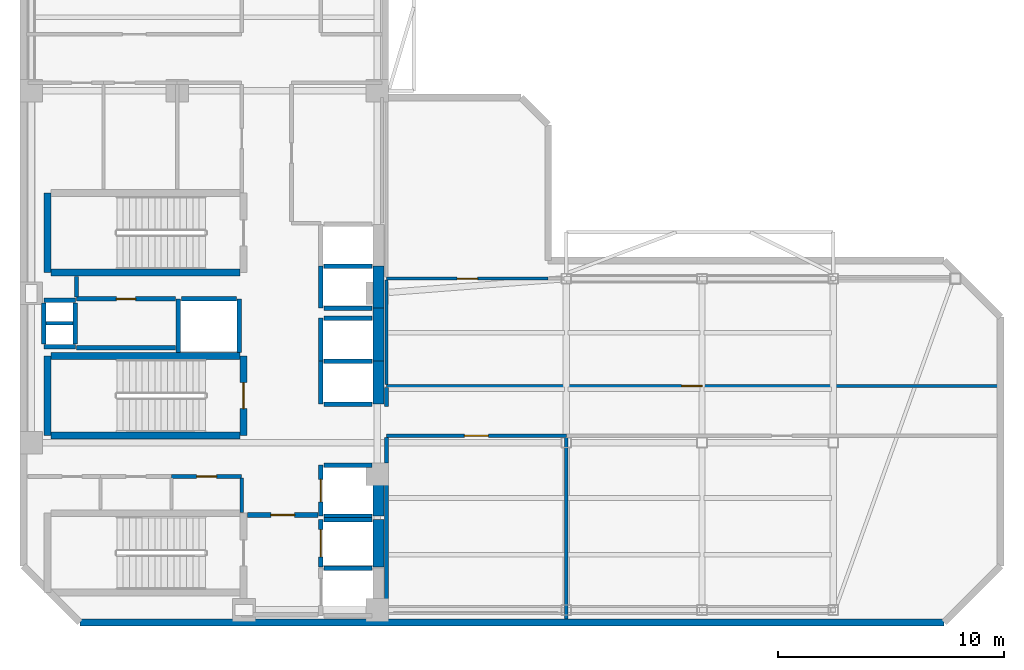
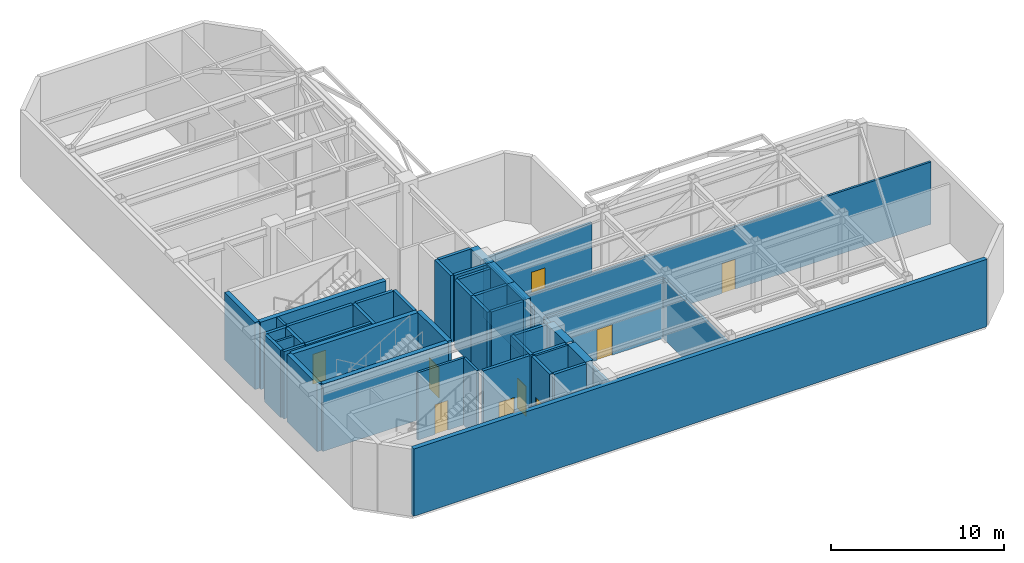
# One storey, part 3 of 7: 48 walls, 9 doors, 9 openings.
"""IFC4 building model written with IfcOpenShell, lengths in metres."""

from ifc_helpers import new_model, si_unit, direction, frame, frame_2d, origin, place, context, subcontext, project, spatial, rectangle, extrude, material, layer, layer_set, type_object, element, fill, save


model = new_model("IFC4")

# Units and contexts
model_context = context("Model", 3, precision=1e-05, world=origin(), true_north=direction((0.0, 1.0)))
body_context = subcontext(model_context, "Body", "Model", "MODEL_VIEW")
ifc_project = project(units=[si_unit("LENGTHUNIT", "METRE"), si_unit("AREAUNIT", "SQUARE_METRE"), si_unit("VOLUMEUNIT", "CUBIC_METRE"), si_unit("PLANEANGLEUNIT", "RADIAN"), si_unit("MASSUNIT", "GRAM", prefix="KILO")], contexts=[model_context])

# Site, building, storey
site_placement = place(None, origin())
site = spatial("IfcSite", under=ifc_project, at=site_placement, CompositionType="ELEMENT")
building_placement = place(site_placement, origin())
building = spatial("IfcBuilding", under=site, at=building_placement, Name="Mawjaban Terraces University", CompositionType="ELEMENT")
storey_placement = place(building_placement, frame((0.0, 0.0, 238.199951171875)))
storey = spatial("IfcBuildingStorey", under=building, at=storey_placement, Name="L58", CompositionType="ELEMENT", Elevation=238.199951171875)

# Walls
ifc_material_1 = material(Name="Concrete C60/75", Category="concrete")
ifc_layer_1 = layer(ifc_material_1, 0.5)
ifc_layer_set_1 = layer_set([ifc_layer_1], Name="Concrete C60/75")
wall_type_1 = type_object("IfcWallType", Name="CoreShearWall_500", PredefinedType="SHEAR", material=ifc_layer_set_1)
wall_1_placement = place(storey_placement, frame((37.699951171875, 2.449951171875, 0.0), z_axis=(0.0, 0.0, 1.0), x_axis=(0.0, 1.0, 0.0)))
element("IfcWall", 1, at=wall_1_placement, inside=storey, type_object=wall_type_1, Name="L58 Lift FL-2 Hoistway Wall East", PredefinedType="SHEAR", context=body_context, shape_type="SweptSolid", body=[
    extrude(rectangle(XDim=2.10009765625, YDim=0.5, at=frame_2d((1.050048828125, 0.0))), origin(), (0.0, 0.0, 1.0), 4.739990234375),
])
wall_2_placement = place(storey_placement, frame((37.699951171875, 4.699951171875, 0.0), z_axis=(0.0, 0.0, 1.0), x_axis=(0.0, 1.0, 0.0)))
element("IfcWall", 2, at=wall_2_placement, inside=storey, type_object=wall_type_1, Name="L58 Lift SL-1 Hoistway Wall East", PredefinedType="SHEAR", context=body_context, shape_type="SweptSolid", body=[
    extrude(rectangle(XDim=2.25, YDim=0.5, at=frame_2d((1.125, 0.0))), origin(), (0.0, 0.0, 1.0), 4.739990234375),
])
wall_3_placement = place(storey_placement, frame((37.699951171875, 9.64990234375, 0.0), z_axis=(0.0, 0.0, 1.0), x_axis=(0.0, 1.0, 0.0)))
element("IfcWall", 3, at=wall_3_placement, inside=storey, type_object=wall_type_1, Name="L58 Lift PL-H1 Hoistway Wall East", PredefinedType="SHEAR", context=body_context, shape_type="SweptSolid", body=[
    extrude(rectangle(XDim=1.900146484375, YDim=0.5, at=frame_2d((0.9501953125, 0.0))), origin(), (0.0, 0.0, 1.0), 4.739990234375),
])
wall_4_placement = place(storey_placement, frame((37.699951171875, 11.550048828125, 0.0), z_axis=(0.0, 0.0, 1.0), x_axis=(0.0, 1.0, 0.0)))
element("IfcWall", 4, at=wall_4_placement, inside=storey, type_object=wall_type_1, Name="L58 Lift PL-H2 Hoistway Wall East", PredefinedType="SHEAR", context=body_context, shape_type="SweptSolid", body=[
    extrude(rectangle(XDim=2.349853515625, YDim=0.5, at=frame_2d((1.1748046875, 0.0))), origin(), (0.0, 0.0, 1.0), 4.739990234375),
])
wall_5_placement = place(storey_placement, frame((37.699951171875, 13.89990234375, 0.0), z_axis=(0.0, 0.0, 1.0), x_axis=(0.0, 1.0, 0.0)))
element("IfcWall", 5, at=wall_5_placement, inside=storey, type_object=wall_type_1, Name="L58 Lift OL-1 Hoistway Wall East", PredefinedType="SHEAR", context=body_context, shape_type="SweptSolid", body=[
    extrude(rectangle(XDim=1.85009765625, YDim=0.5, at=frame_2d((0.925048828125, 0.0))), origin(), (0.0, 0.0, 1.0), 4.739990234375),
])

# Wall, opening, door
ifc_material_2 = material(Name="Fire-rated gypsum board on steel stud", Category="steel")
ifc_layer_2 = layer(ifc_material_2, 0.159912109375)
ifc_layer_set_2 = layer_set([ifc_layer_2], Name="Fire-rated gypsum board on steel stud")
wall_type_2 = type_object("IfcWallType", Name="CorridorPartition_160", PredefinedType="PARTITIONING", material=ifc_layer_set_2)
wall_6_placement = place(storey_placement, frame((28.550048828125, 6.449951171875, 0.0), z_axis=(0.0, 0.0, 1.0), x_axis=(1.0, 0.0, 0.0)))
wall_6 = element("IfcWall", 6, at=wall_6_placement, inside=storey, type_object=wall_type_2, Name="L58 Core Washroom Lobby Partition 6", PredefinedType="PARTITIONING", context=body_context, shape_type="SweptSolid", body=[
    extrude(rectangle(XDim=3.099853515625, YDim=0.159912109375, at=frame_2d((1.5498046875, 0.0))), origin(), (0.0, 0.0, 1.0), 4.739990234375),
])
opening_1_placement = place(wall_6_placement, frame((1.110107421875, 0.0, 0.0)))
opening_1 = element("IfcOpeningElement", 7, at=opening_1_placement, cuts=wall_6, Name="Opening ID-088", PredefinedType="OPENING", context=body_context, shape_type="SweptSolid", body=[
    extrude(rectangle(XDim=0.8798828125, YDim=2.10009765625, at=frame_2d((0.43994140625, 1.050048828125))), frame((0.0, 0.08984375, 0.0), z_axis=(0.0, -1.0, 0.0), x_axis=(1.0, 0.0, 0.0)), (0.0, 0.0, 1.0), 0.179931640625),
])
ifc_material_3 = material(Name="Powder-coated steel frame and solid acoustic timber leaf", Category="steel")
door_type_1 = type_object("IfcDoorType", Name="ToiletDoor_880x2100", OperationType="NOTDEFINED", PredefinedType="DOOR", material=ifc_material_3)
door_1_placement = place(opening_1_placement, origin())
door_1 = element("IfcDoor", 8, at=door_1_placement, inside=storey, type_object=door_type_1, Name="L58 Accessible Toilet Door", OperationType="SINGLE_SWING_LEFT", OverallHeight=2.10009765625, OverallWidth=0.8798828125, PredefinedType="DOOR", context=body_context, shape_type="SweptSolid", body=[
    extrude(rectangle(XDim=0.8798828125, YDim=2.10009765625, at=frame_2d((0.43994140625, 1.050048828125))), frame((0.0, 0.02490234375, 0.0), z_axis=(0.0, -1.0, 0.0), x_axis=(1.0, 0.0, 0.0)), (0.0, 0.0, 1.0), 0.050048828125),
])
fill(opening_1, door_1)

wall_7_placement = place(storey_placement, frame((46.0, 8.25, 0.0), z_axis=(0.0, 0.0, 1.0), x_axis=(-1.0, 0.0, 0.0)))
wall_7 = element("IfcWall", 9, at=wall_7_placement, inside=storey, type_object=wall_type_2, Name="L58 Designated Smoke-Protected Refuge Area East Partition 18", PredefinedType="PARTITIONING", context=body_context, shape_type="SweptSolid", body=[
    extrude(rectangle(XDim=7.949951171875, YDim=0.159912109375, at=frame_2d((3.97509765625, 0.0))), origin(), (0.0, 0.0, 1.0), 4.18896484375),
])
opening_2_placement = place(wall_7_placement, frame((3.449951171875, 0.0, 0.0)))
opening_2 = element("IfcOpeningElement", 10, at=opening_2_placement, cuts=wall_7, Name="Opening FD-105", PredefinedType="OPENING", context=body_context, shape_type="SweptSolid", body=[
    extrude(rectangle(XDim=1.050048828125, YDim=2.14990234375, at=frame_2d((0.52490234375, 1.074951171875))), frame((0.0, 0.08984375, 0.0), z_axis=(0.0, -1.0, 0.0), x_axis=(1.0, 0.0, 0.0)), (0.0, 0.0, 1.0), 0.179931640625),
])
ifc_material_4 = material(Name="Powder-coated steel frame and fire-rated steel-faced leaf", Category="steel")
door_type_2 = type_object("IfcDoorType", Name="FireLobbyDoor_1050x2150", OperationType="NOTDEFINED", PredefinedType="DOOR", material=ifc_material_4)
door_2_placement = place(opening_2_placement, origin())
door_2 = element("IfcDoor", 11, at=door_2_placement, inside=storey, type_object=door_type_2, Name="L58 Designated Smoke-Protected Refuge Area East Door", OperationType="SINGLE_SWING_LEFT", OverallHeight=2.14990234375, OverallWidth=1.050048828125, PredefinedType="DOOR", context=body_context, shape_type="SweptSolid", body=[
    extrude(rectangle(XDim=1.050048828125, YDim=2.14990234375, at=frame_2d((0.52490234375, 1.074951171875))), frame((0.0, 0.02490234375, 0.0), z_axis=(0.0, -1.0, 0.0), x_axis=(1.0, 0.0, 0.0)), (0.0, 0.0, 1.0), 0.050048828125),
])
fill(opening_2, door_2)

# Walls
wall_8_placement = place(storey_placement, frame((24.35009765625, 15.2900390625, 0.0), z_axis=(0.0, 0.0, 1.0), x_axis=(0.0, -1.0, 0.0)))
element("IfcWall", 12, at=wall_8_placement, inside=storey, type_object=wall_type_2, Name="L58 Core Riser Access Passage Partition 22", PredefinedType="PARTITIONING", context=body_context, shape_type="SweptSolid", body=[
    extrude(rectangle(XDim=0.89501953125, YDim=0.159912109375, at=frame_2d((0.447509765625, 0.0))), origin(), (0.0, 0.0, 1.0), 4.739990234375),
])
wall_9_placement = place(storey_placement, frame((31.64990234375, 4.860107421875, 0.0), z_axis=(0.0, 0.0, 1.0), x_axis=(0.0, 1.0, 0.0)))
element("IfcWall", 13, at=wall_9_placement, inside=storey, type_object=wall_type_2, Name="L58 Accessible Toilet Partition 27", PredefinedType="PARTITIONING", context=body_context, shape_type="SweptSolid", body=[
    extrude(rectangle(XDim=1.514892578125, YDim=0.159912109375, at=frame_2d((0.75732421875, 0.0))), origin(), (0.0, 0.0, 1.0), 4.739990234375),
])
wall_10_placement = place(storey_placement, frame((38.050048828125, 7.050048828125, 0.0), z_axis=(0.0, 0.0, 1.0), x_axis=(0.0, 1.0, 0.0)))
element("IfcWall", 14, at=wall_10_placement, inside=storey, type_object=wall_type_2, Name="L58 Core Stair and Lift Lobby East Partition 36", PredefinedType="PARTITIONING", context=body_context, shape_type="SweptSolid", body=[
    extrude(rectangle(XDim=1.125, YDim=0.159912109375, at=frame_2d((0.5625, 0.0))), origin(), (0.0, 0.0, 1.0), 4.18896484375),
])
wall_11_placement = place(storey_placement, frame((38.050048828125, 7.050048828125, 0.0), z_axis=(0.0, 0.0, 1.0), x_axis=(0.0, -1.0, 0.0)))
element("IfcWall", 15, at=wall_11_placement, inside=storey, type_object=wall_type_2, Name="L58 Designated Smoke-Protected Refuge Area East Partition 37", PredefinedType="PARTITIONING", context=body_context, shape_type="SweptSolid", body=[
    extrude(rectangle(XDim=6.905029296875, YDim=0.159912109375, at=frame_2d((3.45263671875, 0.0))), origin(), (0.0, 0.0, 1.0), 4.18896484375),
])
wall_12_placement = place(storey_placement, frame((38.050048828125, 10.382080078125, 0.0), z_axis=(0.0, 0.0, 1.0), x_axis=(0.0, -1.0, 0.0)))
element("IfcWall", 16, at=wall_12_placement, inside=storey, type_object=wall_type_2, Name="L58 Mechanical Plant Service Corridor East Partition 38", PredefinedType="PARTITIONING", context=body_context, shape_type="SweptSolid", body=[
    extrude(rectangle(XDim=0.83203125, YDim=0.159912109375, at=frame_2d((0.416015625, 0.0))), origin(), (0.0, 0.0, 1.0), 4.18896484375),
])
wall_13_placement = place(storey_placement, frame((46.0, 0.14501953125, 0.0), z_axis=(0.0, 0.0, 1.0), x_axis=(0.0, 1.0, 0.0)))
element("IfcWall", 17, at=wall_13_placement, inside=storey, type_object=wall_type_2, Name="L58 Designated Smoke-Protected Refuge Area East Partition 41", PredefinedType="PARTITIONING", context=body_context, shape_type="SweptSolid", body=[
    extrude(rectangle(XDim=8.030029296875, YDim=0.159912109375, at=frame_2d((4.01513671875, 0.0))), origin(), (0.0, 0.0, 1.0), 4.18896484375),
])
ifc_material_5 = material(Name="Insulated terracotta rainscreen on concrete backup C40/50", Category="masonry")
ifc_layer_3 = layer(ifc_material_5, 0.300048828125)
ifc_layer_set_3 = layer_set([ifc_layer_3], Name="Insulated terracotta rainscreen on concrete backup C40/50")
wall_type_3 = type_object("IfcWallType", Name="ExtTerracottaWall_300", PredefinedType="SOLIDWALL", material=ifc_layer_set_3)
wall_14_placement = place(storey_placement, frame((24.5, 0.0, 0.0), z_axis=(0.0, 0.0, 1.0), x_axis=(1.0, 0.0, 0.0)))
element("IfcWall", 18, at=wall_14_placement, inside=storey, type_object=wall_type_3, Name="L58 Exterior Terracotta Wall 1", PredefinedType="SOLIDWALL", context=body_context, shape_type="SweptSolid", body=[
    extrude(rectangle(XDim=38.199951171875, YDim=0.300048828125, at=frame_2d((19.10009765625, 0.0))), origin(), (0.0, 0.0, 1.0), 4.739990234375),
])
ifc_material_6 = material(Name="Concrete C40/50", Category="concrete")
ifc_layer_4 = layer(ifc_material_6, 0.199951171875)
ifc_layer_set_4 = layer_set([ifc_layer_4], Name="Concrete C40/50")
wall_type_4 = type_object("IfcWallType", Name="FireLobbyWall_200", PredefinedType="SOLIDWALL", material=ifc_layer_set_4)
wall_15_placement = place(storey_placement, frame((37.419921875, 2.39990234375, 0.0), z_axis=(0.0, 0.0, 1.0), x_axis=(-1.0, 0.0, 0.0)))
element("IfcWall", 19, at=wall_15_placement, inside=storey, type_object=wall_type_4, Name="L58 Lift FL-1 Hoistway Wall North", PredefinedType="SOLIDWALL", context=body_context, shape_type="SweptSolid", body=[
    extrude(rectangle(XDim=2.139892578125, YDim=0.199951171875, at=frame_2d((1.06982421875, 0.0))), origin(), (0.0, 0.0, 1.0), 4.739990234375),
])

# Wall, opening, door
wall_16_placement = place(storey_placement, frame((35.14990234375, 4.550048828125, 0.0), z_axis=(0.0, 0.0, 1.0), x_axis=(0.0, -1.0, 0.0)))
wall_16 = element("IfcWall", 20, at=wall_16_placement, inside=storey, type_object=wall_type_4, Name="L58 Lift FL-2 Hoistway Wall West", PredefinedType="SOLIDWALL", context=body_context, shape_type="SweptSolid", body=[
    extrude(rectangle(XDim=2.10009765625, YDim=0.199951171875, at=frame_2d((1.050048828125, 0.0))), origin(), (0.0, 0.0, 1.0), 4.739990234375),
])
opening_3_placement = place(wall_16_placement, frame((0.449951171875, 0.0, 0.0)))
opening_3 = element("IfcOpeningElement", 21, at=opening_3_placement, cuts=wall_16, Name="Opening LD-FL-2", PredefinedType="OPENING", context=body_context, shape_type="SweptSolid", body=[
    extrude(rectangle(XDim=1.199951171875, YDim=2.14990234375, at=frame_2d((0.60009765625, 1.074951171875))), frame((0.0, 0.10986328125, 0.0), z_axis=(0.0, -1.0, 0.0), x_axis=(1.0, 0.0, 0.0)), (0.0, 0.0, 1.0), 0.219970703125),
])
door_type_3 = type_object("IfcDoorType", Name="LiftLandingFSAE_1200x2150", OperationType="NOTDEFINED", PredefinedType="DOOR", material=ifc_material_4)
door_3_placement = place(opening_3_placement, origin())
door_3 = element("IfcDoor", 22, at=door_3_placement, inside=storey, type_object=door_type_3, Name="L58 Lift FL-2 Sliding Landing Door", OperationType="DOUBLE_DOOR_SLIDING", OverallHeight=2.14990234375, OverallWidth=1.199951171875, PredefinedType="DOOR", context=body_context, shape_type="SweptSolid", body=[
    extrude(rectangle(XDim=1.199951171875, YDim=2.14990234375, at=frame_2d((0.60009765625, 1.074951171875))), frame((0.0, 0.02490234375, 0.0), z_axis=(0.0, -1.0, 0.0), x_axis=(1.0, 0.0, 0.0)), (0.0, 0.0, 1.0), 0.050048828125),
])
fill(opening_3, door_3)

# Wall
wall_17_placement = place(storey_placement, frame((37.419921875, 4.550048828125, 0.0), z_axis=(0.0, 0.0, 1.0), x_axis=(-1.0, 0.0, 0.0)))
element("IfcWall", 23, at=wall_17_placement, inside=storey, type_object=wall_type_4, Name="L58 Lift FL-2 Hoistway Wall North", PredefinedType="SOLIDWALL", context=body_context, shape_type="SweptSolid", body=[
    extrude(rectangle(XDim=2.139892578125, YDim=0.199951171875, at=frame_2d((1.06982421875, 0.0))), origin(), (0.0, 0.0, 1.0), 4.739990234375),
])

# Wall, opening, door
wall_18_placement = place(storey_placement, frame((35.14990234375, 6.949951171875, 0.0), z_axis=(0.0, 0.0, 1.0), x_axis=(0.0, -1.0, 0.0)))
wall_18 = element("IfcWall", 24, at=wall_18_placement, inside=storey, type_object=wall_type_4, Name="L58 Lift SL-1 Hoistway Wall West", PredefinedType="SOLIDWALL", context=body_context, shape_type="SweptSolid", body=[
    extrude(rectangle(XDim=2.25, YDim=0.199951171875, at=frame_2d((1.125, 0.0))), origin(), (0.0, 0.0, 1.0), 4.739990234375),
])
opening_4_placement = place(wall_18_placement, frame((0.625, 0.0, 0.0)))
opening_4 = element("IfcOpeningElement", 25, at=opening_4_placement, cuts=wall_18, Name="Opening LD-SL-1", PredefinedType="OPENING", context=body_context, shape_type="SweptSolid", body=[
    extrude(rectangle(XDim=1.0, YDim=2.10009765625, at=frame_2d((0.5, 1.050048828125))), frame((0.0, 0.10986328125, 0.0), z_axis=(0.0, -1.0, 0.0), x_axis=(1.0, 0.0, 0.0)), (0.0, 0.0, 1.0), 0.219970703125),
])
door_type_4 = type_object("IfcDoorType", Name="LiftLandingSliding_1000x2100", OperationType="NOTDEFINED", PredefinedType="DOOR", material=ifc_material_4)
door_4_placement = place(opening_4_placement, origin())
door_4 = element("IfcDoor", 26, at=door_4_placement, inside=storey, type_object=door_type_4, Name="L58 Lift SL-1 Sliding Landing Door", OperationType="DOUBLE_DOOR_SLIDING", OverallHeight=2.10009765625, OverallWidth=1.0, PredefinedType="DOOR", context=body_context, shape_type="SweptSolid", body=[
    extrude(rectangle(XDim=1.0, YDim=2.10009765625, at=frame_2d((0.5, 1.050048828125))), frame((0.0, 0.02490234375, 0.0), z_axis=(0.0, -1.0, 0.0), x_axis=(1.0, 0.0, 0.0)), (0.0, 0.0, 1.0), 0.050048828125),
])
fill(opening_4, door_4)

# Walls
for number, where, z_axis, x_axis, name in (
    (27, (35.280029296875, 4.699951171875, 0.0), (0.0, 0.0, 1.0), (1.0, 0.0, 0.0), "L58 Lift SL-1 Hoistway Wall South"),
    (28, (37.419921875, 6.949951171875, 0.0), (0.0, 0.0, 1.0), (-1.0, 0.0, 0.0), "L58 Lift SL-1 Hoistway Wall North"),
):
    element("IfcWall", number, at=place(storey_placement, frame(where, z_axis=z_axis, x_axis=x_axis)), inside=storey, type_object=wall_type_4, Name=name, PredefinedType="SOLIDWALL", context=body_context, shape_type="SweptSolid", body=[
        extrude(rectangle(XDim=2.139892578125, YDim=0.199951171875, at=frame_2d((1.06982421875, 0.0))), origin(), (0.0, 0.0, 1.0), 4.739990234375),
    ])
wall_19_placement = place(storey_placement, frame((35.14990234375, 11.550048828125, 0.0), z_axis=(0.0, 0.0, 1.0), x_axis=(0.0, -1.0, 0.0)))
element("IfcWall", 29, at=wall_19_placement, inside=storey, type_object=wall_type_4, Name="L58 Lift PL-H1 Hoistway Wall West", PredefinedType="SOLIDWALL", context=body_context, shape_type="SweptSolid", body=[
    extrude(rectangle(XDim=1.900146484375, YDim=0.199951171875, at=frame_2d((0.9501953125, 0.0))), origin(), (0.0, 0.0, 1.0), 4.739990234375),
])
for number, where, z_axis, x_axis, name in (
    (30, (35.280029296875, 9.64990234375, 0.0), (0.0, 0.0, 1.0), (1.0, 0.0, 0.0), "L58 Lift PL-H1 Hoistway Wall South"),
    (31, (37.419921875, 11.550048828125, 0.0), (0.0, 0.0, 1.0), (-1.0, 0.0, 0.0), "L58 Lift PL-H1 Hoistway Wall North"),
):
    element("IfcWall", number, at=place(storey_placement, frame(where, z_axis=z_axis, x_axis=x_axis)), inside=storey, type_object=wall_type_4, Name=name, PredefinedType="SOLIDWALL", context=body_context, shape_type="SweptSolid", body=[
        extrude(rectangle(XDim=2.139892578125, YDim=0.199951171875, at=frame_2d((1.06982421875, 0.0))), origin(), (0.0, 0.0, 1.0), 4.739990234375),
    ])
wall_20_placement = place(storey_placement, frame((35.14990234375, 13.449951171875, 0.0), z_axis=(0.0, 0.0, 1.0), x_axis=(0.0, -1.0, 0.0)))
element("IfcWall", 32, at=wall_20_placement, inside=storey, type_object=wall_type_4, Name="L58 Lift PL-H2 Hoistway Wall West", PredefinedType="SOLIDWALL", context=body_context, shape_type="SweptSolid", body=[
    extrude(rectangle(XDim=1.89990234375, YDim=0.199951171875, at=frame_2d((0.949951171875, 0.0))), origin(), (0.0, 0.0, 1.0), 4.739990234375),
])
wall_21_placement = place(storey_placement, frame((37.419921875, 13.449951171875, 0.0), z_axis=(0.0, 0.0, 1.0), x_axis=(-1.0, 0.0, 0.0)))
element("IfcWall", 33, at=wall_21_placement, inside=storey, type_object=wall_type_4, Name="L58 Lift PL-H2 Hoistway Wall North", PredefinedType="SOLIDWALL", context=body_context, shape_type="SweptSolid", body=[
    extrude(rectangle(XDim=2.139892578125, YDim=0.199951171875, at=frame_2d((1.06982421875, 0.0))), origin(), (0.0, 0.0, 1.0), 4.739990234375),
])
for number, where, z_axis, x_axis, name in (
    (34, (28.85009765625, 14.300048828125, 0.0), (0.0, 0.0, 1.0), (0.0, -1.0, 0.0), "L58 Lift PL-H3 Hoistway Wall West"),
    (35, (31.550048828125, 11.929931640625, 0.0), (0.0, 0.0, 1.0), (0.0, 1.0, 0.0), "L58 Lift PL-H3 Hoistway Wall East"),
):
    element("IfcWall", number, at=place(storey_placement, frame(where, z_axis=z_axis, x_axis=x_axis)), inside=storey, type_object=wall_type_4, Name=name, PredefinedType="SOLIDWALL", context=body_context, shape_type="SweptSolid", body=[
        extrude(rectangle(XDim=2.3701171875, YDim=0.199951171875, at=frame_2d((1.18505859375, 0.0))), origin(), (0.0, 0.0, 1.0), 4.739990234375),
    ])
wall_22_placement = place(storey_placement, frame((31.419921875, 14.300048828125, 0.0), z_axis=(0.0, 0.0, 1.0), x_axis=(-1.0, 0.0, 0.0)))
element("IfcWall", 36, at=wall_22_placement, inside=storey, type_object=wall_type_4, Name="L58 Lift PL-H3 Hoistway Wall North", PredefinedType="SOLIDWALL", context=body_context, shape_type="SweptSolid", body=[
    extrude(rectangle(XDim=2.43994140625, YDim=0.199951171875, at=frame_2d((1.219970703125, 0.0))), origin(), (0.0, 0.0, 1.0), 4.739990234375),
])
wall_23_placement = place(storey_placement, frame((35.14990234375, 15.75, 0.0), z_axis=(0.0, 0.0, 1.0), x_axis=(0.0, -1.0, 0.0)))
element("IfcWall", 37, at=wall_23_placement, inside=storey, type_object=wall_type_4, Name="L58 Lift OL-1 Hoistway Wall West", PredefinedType="SOLIDWALL", context=body_context, shape_type="SweptSolid", body=[
    extrude(rectangle(XDim=1.85009765625, YDim=0.199951171875, at=frame_2d((0.925048828125, 0.0))), origin(), (0.0, 0.0, 1.0), 4.739990234375),
])
for number, where, z_axis, x_axis, name in (
    (38, (35.280029296875, 13.89990234375, 0.0), (0.0, 0.0, 1.0), (1.0, 0.0, 0.0), "L58 Lift OL-1 Hoistway Wall South"),
    (39, (37.419921875, 15.75, 0.0), (0.0, 0.0, 1.0), (-1.0, 0.0, 0.0), "L58 Lift OL-1 Hoistway Wall North"),
):
    element("IfcWall", number, at=place(storey_placement, frame(where, z_axis=z_axis, x_axis=x_axis)), inside=storey, type_object=wall_type_4, Name=name, PredefinedType="SOLIDWALL", context=body_context, shape_type="SweptSolid", body=[
        extrude(rectangle(XDim=2.139892578125, YDim=0.199951171875, at=frame_2d((1.06982421875, 0.0))), origin(), (0.0, 0.0, 1.0), 4.739990234375),
    ])
for number, where, z_axis, x_axis, name in (
    (40, (22.89990234375, 14.25, 0.0), (0.0, 0.0, 1.0), (1.0, 0.0, 0.0), "L58 MEP Riser Shaft Wall N"),
    (41, (22.89990234375, 12.179931640625, 0.0), (0.0, 0.0, 1.0), (1.0, 0.0, 0.0), "L58 MEP Riser Shaft Wall S"),
):
    element("IfcWall", number, at=place(storey_placement, frame(where, z_axis=z_axis, x_axis=x_axis)), inside=storey, type_object=wall_type_4, Name=name, PredefinedType="SOLIDWALL", context=body_context, shape_type="SweptSolid", body=[
        extrude(rectangle(XDim=1.400146484375, YDim=0.199951171875, at=frame_2d((0.7001953125, 0.0))), origin(), (0.0, 0.0, 1.0), 4.739990234375),
    ])
for number, where, z_axis, x_axis, name in (
    (42, (24.300048828125, 12.300048828125, 0.0), (0.0, 0.0, 1.0), (0.0, 1.0, 0.0), "L58 MEP Riser Shaft Wall E"),
    (43, (22.89990234375, 12.300048828125, 0.0), (0.0, 0.0, 1.0), (0.0, 1.0, 0.0), "L58 MEP Riser Shaft Wall W"),
):
    element("IfcWall", number, at=place(storey_placement, frame(where, z_axis=z_axis, x_axis=x_axis)), inside=storey, type_object=wall_type_4, Name=name, PredefinedType="SOLIDWALL", context=body_context, shape_type="SweptSolid", body=[
        extrude(rectangle(XDim=1.829833984375, YDim=0.199951171875, at=frame_2d((0.9150390625, 0.0))), origin(), (0.0, 0.0, 1.0), 4.739990234375),
    ])
wall_24_placement = place(storey_placement, frame((24.35009765625, 12.14990234375, 0.0), z_axis=(0.0, 0.0, 1.0), x_axis=(1.0, 0.0, 0.0)))
element("IfcWall", 44, at=wall_24_placement, inside=storey, type_object=wall_type_4, Name="L58 IT and Telecoms Riser Room Partition 2", PredefinedType="SOLIDWALL", context=body_context, shape_type="SweptSolid", body=[
    extrude(rectangle(XDim=4.369873046875, YDim=0.199951171875, at=frame_2d((2.18505859375, 0.0))), origin(), (0.0, 0.0, 1.0), 4.739990234375),
])

# Wall, opening, door
wall_25_placement = place(storey_placement, frame((24.35009765625, 14.300048828125, 0.0), z_axis=(0.0, 0.0, 1.0), x_axis=(1.0, 0.0, 0.0)))
wall_25 = element("IfcWall", 45, at=wall_25_placement, inside=storey, type_object=wall_type_4, Name="L58 Core Riser Access Passage Partition 3", PredefinedType="SOLIDWALL", context=body_context, shape_type="SweptSolid", body=[
    extrude(rectangle(XDim=4.369873046875, YDim=0.199951171875, at=frame_2d((2.18505859375, 0.0))), origin(), (0.0, 0.0, 1.0), 4.739990234375),
])
opening_5_placement = place(wall_25_placement, frame((1.760009765625, 0.0, 0.0)))
opening_5 = element("IfcOpeningElement", 46, at=opening_5_placement, cuts=wall_25, Name="Opening FD-085", PredefinedType="OPENING", context=body_context, shape_type="SweptSolid", body=[
    extrude(rectangle(XDim=0.85009765625, YDim=2.10009765625, at=frame_2d((0.425048828125, 1.050048828125))), frame((0.0, 0.10986328125, 0.0), z_axis=(0.0, -1.0, 0.0), x_axis=(1.0, 0.0, 0.0)), (0.0, 0.0, 1.0), 0.219970703125),
])
door_type_5 = type_object("IfcDoorType", Name="FireRiserDoor_850x2100", OperationType="NOTDEFINED", PredefinedType="DOOR", material=ifc_material_4)
door_5_placement = place(opening_5_placement, origin())
door_5 = element("IfcDoor", 47, at=door_5_placement, inside=storey, type_object=door_type_5, Name="L58 IT and Telecoms Riser Room Door", OperationType="SINGLE_SWING_RIGHT", OverallHeight=2.10009765625, OverallWidth=0.85009765625, PredefinedType="DOOR", context=body_context, shape_type="SweptSolid", body=[
    extrude(rectangle(XDim=0.85009765625, YDim=2.10009765625, at=frame_2d((0.425048828125, 1.050048828125))), frame((0.0, 0.02490234375, 0.0), z_axis=(0.0, -1.0, 0.0), x_axis=(1.0, 0.0, 0.0)), (0.0, 0.0, 1.0), 0.050048828125),
])
fill(opening_5, door_5)

wall_26_placement = place(storey_placement, frame((35.02001953125, 4.75, 0.0), z_axis=(0.0, 0.0, 1.0), x_axis=(-1.0, 0.0, 0.0)))
wall_26 = element("IfcWall", 48, at=wall_26_placement, inside=storey, type_object=wall_type_4, Name="L58 Firefighting Lift Lobby Partition 13", PredefinedType="SOLIDWALL", context=body_context, shape_type="SweptSolid", body=[
    extrude(rectangle(XDim=3.110107421875, YDim=0.199951171875, at=frame_2d((1.55517578125, 0.0))), origin(), (0.0, 0.0, 1.0), 4.739990234375),
])
opening_6_placement = place(wall_26_placement, frame((1.030029296875, 0.0, 0.0)))
opening_6 = element("IfcOpeningElement", 49, at=opening_6_placement, cuts=wall_26, Name="Opening FD-105", PredefinedType="OPENING", context=body_context, shape_type="SweptSolid", body=[
    extrude(rectangle(XDim=1.050048828125, YDim=2.14990234375, at=frame_2d((0.52490234375, 1.074951171875))), frame((0.0, 0.10986328125, 0.0), z_axis=(0.0, -1.0, 0.0), x_axis=(1.0, 0.0, 0.0)), (0.0, 0.0, 1.0), 0.219970703125),
])
door_6_placement = place(opening_6_placement, origin())
door_6 = element("IfcDoor", 50, at=door_6_placement, inside=storey, type_object=door_type_2, Name="L58 Firefighting Lift Lobby Door", OperationType="SINGLE_SWING_RIGHT", OverallHeight=2.14990234375, OverallWidth=1.050048828125, PredefinedType="DOOR", context=body_context, shape_type="SweptSolid", body=[
    extrude(rectangle(XDim=1.050048828125, YDim=2.14990234375, at=frame_2d((0.52490234375, 1.074951171875))), frame((0.0, 0.02490234375, 0.0), z_axis=(0.0, -1.0, 0.0), x_axis=(1.0, 0.0, 0.0)), (0.0, 0.0, 1.0), 0.050048828125),
])
fill(opening_6, door_6)

# Wall
ifc_material_7 = material(Name="Moisture-resistant gypsum board on steel stud", Category="steel")
ifc_layer_5 = layer(ifc_material_7, 0.14501953125)
ifc_layer_set_5 = layer_set([ifc_layer_5], Name="Moisture-resistant gypsum board on steel stud")
wall_type_5 = type_object("IfcWallType", Name="LabPartition_145", PredefinedType="PARTITIONING", material=ifc_layer_set_5)
wall_27_placement = place(storey_placement, frame((23.010009765625, 13.22509765625, 0.0), z_axis=(0.0, 0.0, 1.0), x_axis=(1.0, 0.0, 0.0)))
element("IfcWall", 51, at=wall_27_placement, inside=storey, type_object=wall_type_5, Name="L58 MEP Riser Shaft Wall M", PredefinedType="PARTITIONING", context=body_context, shape_type="SweptSolid", body=[
    extrude(rectangle(XDim=1.179931640625, YDim=0.14501953125, at=frame_2d((0.58984375, 0.0))), origin(), (0.0, 0.0, 1.0), 4.739990234375),
])

# Wall, opening, door
wall_28_placement = place(storey_placement, frame((45.199951171875, 15.199951171875, 0.0), z_axis=(0.0, 0.0, 1.0), x_axis=(-1.0, 0.0, 0.0)))
wall_28 = element("IfcWall", 52, at=wall_28_placement, inside=storey, type_object=wall_type_5, Name="L58 Heat Recovery Ventilation Fan Room Partition 17", PredefinedType="PARTITIONING", context=body_context, shape_type="SweptSolid", body=[
    extrude(rectangle(XDim=7.14990234375, YDim=0.14501953125, at=frame_2d((3.574951171875, 0.0))), origin(), (0.0, 0.0, 1.0), 4.18896484375),
])
opening_7_placement = place(wall_28_placement, frame((3.125, 0.0, 0.0)))
opening_7 = element("IfcOpeningElement", 53, at=opening_7_placement, cuts=wall_28, Name="Opening ID-090", PredefinedType="OPENING", context=body_context, shape_type="SweptSolid", body=[
    extrude(rectangle(XDim=0.89990234375, YDim=2.10009765625, at=frame_2d((0.449951171875, 1.050048828125))), frame((0.0, 0.08251953125, 0.0), z_axis=(0.0, -1.0, 0.0), x_axis=(1.0, 0.0, 0.0)), (0.0, 0.0, 1.0), 0.1650390625),
])
door_type_6 = type_object("IfcDoorType", Name="OfficeDoor_900x2100", OperationType="NOTDEFINED", PredefinedType="DOOR", material=ifc_material_3)
door_7_placement = place(opening_7_placement, origin())
door_7 = element("IfcDoor", 54, at=door_7_placement, inside=storey, type_object=door_type_6, Name="L58 Booster Pump and Break Tank Plant Room Door", OperationType="SINGLE_SWING_LEFT", OverallHeight=2.10009765625, OverallWidth=0.89990234375, PredefinedType="DOOR", context=body_context, shape_type="SweptSolid", body=[
    extrude(rectangle(XDim=0.89990234375, YDim=2.10009765625, at=frame_2d((0.449951171875, 1.050048828125))), frame((0.0, 0.02490234375, 0.0), z_axis=(0.0, -1.0, 0.0), x_axis=(1.0, 0.0, 0.0)), (0.0, 0.0, 1.0), 0.050048828125),
])
fill(opening_7, door_7)

wall_29_placement = place(storey_placement, frame((65.054931640625, 10.449951171875, 0.0), z_axis=(0.0, 0.0, 1.0), x_axis=(-1.0, 0.0, 0.0)))
wall_29 = element("IfcWall", 55, at=wall_29_placement, inside=storey, type_object=wall_type_5, Name="L58 Mechanical Plant Service Corridor East Partition 21", PredefinedType="PARTITIONING", context=body_context, shape_type="SweptSolid", body=[
    extrude(rectangle(XDim=27.0048828125, YDim=0.14501953125, at=frame_2d((13.50244140625, 0.0))), origin(), (0.0, 0.0, 1.0), 4.39306640625),
])
opening_8_placement = place(wall_29_placement, frame((13.052978515625, 0.0, 0.0)))
opening_8 = element("IfcOpeningElement", 56, at=opening_8_placement, cuts=wall_29, Name="Opening ID-090", PredefinedType="OPENING", context=body_context, shape_type="SweptSolid", body=[
    extrude(rectangle(XDim=0.89990234375, YDim=2.10009765625, at=frame_2d((0.449951171875, 1.050048828125))), frame((0.0, 0.08251953125, 0.0), z_axis=(0.0, -1.0, 0.0), x_axis=(1.0, 0.0, 0.0)), (0.0, 0.0, 1.0), 0.1650390625),
])
door_8_placement = place(opening_8_placement, origin())
door_8 = element("IfcDoor", 57, at=door_8_placement, inside=storey, type_object=door_type_6, Name="L58 Heat Recovery Ventilation Fan Room Door", OperationType="SINGLE_SWING_RIGHT", OverallHeight=2.10009765625, OverallWidth=0.89990234375, PredefinedType="DOOR", context=body_context, shape_type="SweptSolid", body=[
    extrude(rectangle(XDim=0.89990234375, YDim=2.10009765625, at=frame_2d((0.449951171875, 1.050048828125))), frame((0.0, 0.02490234375, 0.0), z_axis=(0.0, -1.0, 0.0), x_axis=(1.0, 0.0, 0.0)), (0.0, 0.0, 1.0), 0.050048828125),
])
fill(opening_8, door_8)

# Walls
wall_30_placement = place(storey_placement, frame((38.050048828125, 15.132080078125, 0.0), z_axis=(0.0, 0.0, 1.0), x_axis=(0.0, -1.0, 0.0)))
element("IfcWall", 58, at=wall_30_placement, inside=storey, type_object=wall_type_5, Name="L58 Heat Recovery Ventilation Fan Room Partition 39", PredefinedType="PARTITIONING", context=body_context, shape_type="SweptSolid", body=[
    extrude(rectangle(XDim=4.614013671875, YDim=0.14501953125, at=frame_2d((2.30712890625, 0.0))), origin(), (0.0, 0.0, 1.0), 4.18896484375),
])
ifc_layer_6 = layer(ifc_material_1, 0.300048828125)
ifc_layer_set_6 = layer_set([ifc_layer_6], Name="Concrete C60/75")
wall_type_6 = type_object("IfcWallType", Name="StairShaftWall_300", PredefinedType="SHEAR", material=ifc_layer_set_6)
wall_31_placement = place(storey_placement, frame((23.070068359375, 18.97998046875, 0.0), z_axis=(0.0, 0.0, 1.0), x_axis=(0.0, -1.0, 0.0)))
element("IfcWall", 59, at=wall_31_placement, inside=storey, type_object=wall_type_6, Name="L58 ST-2 Stair Shaft Wall 2", PredefinedType="SHEAR", context=body_context, shape_type="SweptSolid", body=[
    extrude(rectangle(XDim=3.510009765625, YDim=0.300048828125, at=frame_2d((1.7548828125, 0.0))), origin(), (0.0, 0.0, 1.0), 4.739990234375),
])
for number, where, z_axis, x_axis, name in (
    (60, (23.219970703125, 15.469970703125, 0.0), (0.0, 0.0, 1.0), (1.0, 0.0, 0.0), "L58 ST-2 Stair Shaft Wall 3"),
    (61, (31.580078125, 11.780029296875, 0.0), (0.0, 0.0, 1.0), (-1.0, 0.0, 0.0), "L58 ST-3 Stair Shaft Wall 1"),
):
    element("IfcWall", number, at=place(storey_placement, frame(where, z_axis=z_axis, x_axis=x_axis)), inside=storey, type_object=wall_type_6, Name=name, PredefinedType="SHEAR", context=body_context, shape_type="SweptSolid", body=[
        extrude(rectangle(XDim=8.360107421875, YDim=0.300048828125, at=frame_2d((4.18017578125, 0.0))), origin(), (0.0, 0.0, 1.0), 4.739990234375),
    ])
wall_32_placement = place(storey_placement, frame((23.070068359375, 11.780029296875, 0.0), z_axis=(0.0, 0.0, 1.0), x_axis=(0.0, -1.0, 0.0)))
element("IfcWall", 62, at=wall_32_placement, inside=storey, type_object=wall_type_6, Name="L58 ST-3 Stair Shaft Wall 2", PredefinedType="SHEAR", context=body_context, shape_type="SweptSolid", body=[
    extrude(rectangle(XDim=3.510009765625, YDim=0.300048828125, at=frame_2d((1.7548828125, 0.0))), origin(), (0.0, 0.0, 1.0), 4.739990234375),
])
wall_33_placement = place(storey_placement, frame((23.219970703125, 8.27001953125, 0.0), z_axis=(0.0, 0.0, 1.0), x_axis=(1.0, 0.0, 0.0)))
element("IfcWall", 63, at=wall_33_placement, inside=storey, type_object=wall_type_6, Name="L58 ST-3 Stair Shaft Wall 3", PredefinedType="SHEAR", context=body_context, shape_type="SweptSolid", body=[
    extrude(rectangle(XDim=8.360107421875, YDim=0.300048828125, at=frame_2d((4.18017578125, 0.0))), origin(), (0.0, 0.0, 1.0), 4.739990234375),
])

# Wall, opening, door
wall_34_placement = place(storey_placement, frame((31.72998046875, 8.27001953125, 0.0), z_axis=(0.0, 0.0, 1.0), x_axis=(0.0, 1.0, 0.0)))
wall_34 = element("IfcWall", 64, at=wall_34_placement, inside=storey, type_object=wall_type_6, Name="L58 ST-3 Stair Shaft Wall 4", PredefinedType="SHEAR", context=body_context, shape_type="SweptSolid", body=[
    extrude(rectangle(XDim=3.510009765625, YDim=0.300048828125, at=frame_2d((1.7548828125, 0.0))), origin(), (0.0, 0.0, 1.0), 4.739990234375),
])
opening_9_placement = place(wall_34_placement, frame((1.179931640625, 0.0, 0.0)))
opening_9 = element("IfcOpeningElement", 65, at=opening_9_placement, cuts=wall_34, Name="Opening FD-115", PredefinedType="OPENING", context=body_context, shape_type="SweptSolid", body=[
    extrude(rectangle(XDim=1.14990234375, YDim=2.14990234375, at=frame_2d((0.574951171875, 1.074951171875))), frame((0.0, 0.159912109375, 0.0), z_axis=(0.0, -1.0, 0.0), x_axis=(1.0, 0.0, 0.0)), (0.0, 0.0, 1.0), 0.320068359375),
])
door_type_7 = type_object("IfcDoorType", Name="FireStairDoor_1150x2150", OperationType="NOTDEFINED", PredefinedType="DOOR", material=ifc_material_4)
door_9_placement = place(opening_9_placement, origin())
door_9 = element("IfcDoor", 66, at=door_9_placement, inside=storey, type_object=door_type_7, Name="L58 ST-3 Pressurised Stair Fire Door", OperationType="SINGLE_SWING_LEFT", OverallHeight=2.14990234375, OverallWidth=1.14990234375, PredefinedType="DOOR", context=body_context, shape_type="SweptSolid", body=[
    extrude(rectangle(XDim=1.14990234375, YDim=2.14990234375, at=frame_2d((0.574951171875, 1.074951171875))), frame((0.0, 0.02490234375, 0.0), z_axis=(0.0, -1.0, 0.0), x_axis=(1.0, 0.0, 0.0)), (0.0, 0.0, 1.0), 0.050048828125),
])
fill(opening_9, door_9)

save(model, "model.ifc")
